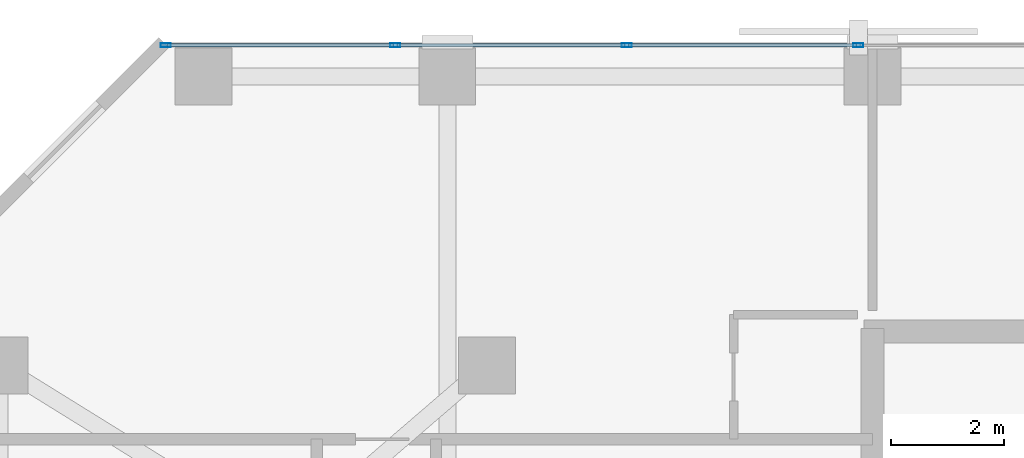
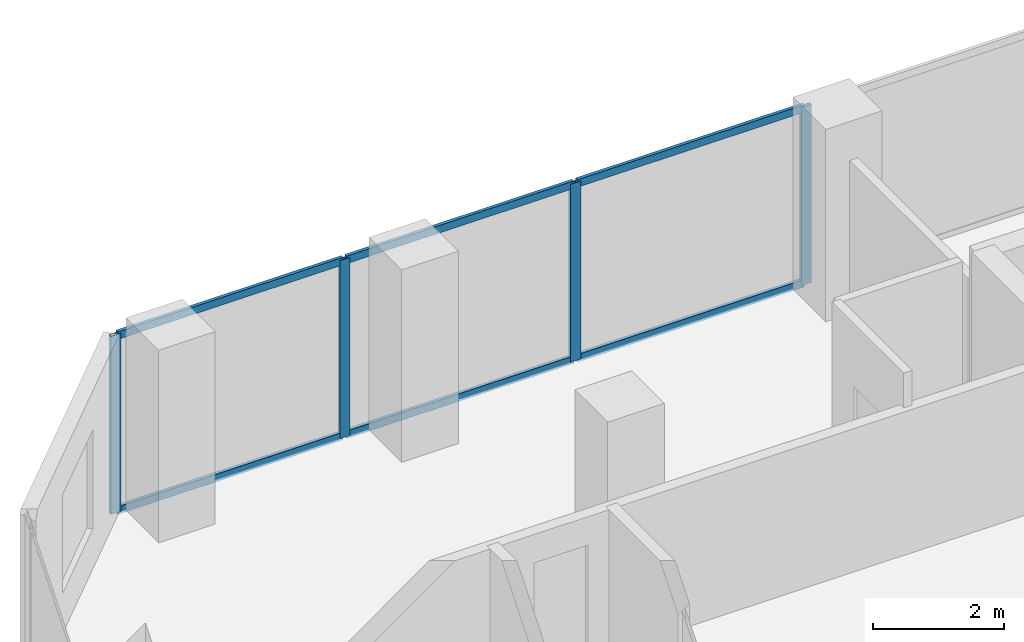
# One storey, part 20 of 31: 10 members, 1 element without a shape of its own.
"""IFC4 building model written with IfcOpenShell, lengths in metres."""

import ifcopenshell
import ifcopenshell.guid

model = None  # the IFC model being written
_history = None  # IfcOwnerHistory: only IFC2X3 demands one
_inside = {}  # id of a spatial element -> (the spatial element, [elements in it])
_under = {}  # id of a project, library or spatial element -> (it, [spatial elements below it])
_declared = {}  # id of a project -> (the project, [libraries it declares])
_typed = {}  # id of a type object -> (the type object, [elements of that type])
_made_of = {}  # id of a material, layer set ... -> (it, [elements and type objects made of it])


def new_model(schema):
    """Start an empty IFC model of exactly this schema.

    Asked for "IFC4X3", IfcOpenShell would pick the latest addendum, in which some entities
    have other attributes; the version numbers below select the first issue.
    IFC2X3 requires an IfcOwnerHistory on every rooted entity: one is made here for all.
    """
    global model, _history
    if schema == "IFC4X3":
        model = ifcopenshell.file(schema_version=(4, 3, 0, 0))
    else:
        model = ifcopenshell.file(schema=schema)
    _inside.clear()
    _under.clear()
    _declared.clear()
    _typed.clear()
    _made_of.clear()
    _history = None
    if model.schema == "IFC2X3":
        org = make("IfcOrganization", Name="unknown")
        user = make(
            "IfcPersonAndOrganization",
            ThePerson=make("IfcPerson", FamilyName="unknown"),
            TheOrganization=org,
        )
        app = make(
            "IfcApplication",
            ApplicationDeveloper=org,
            Version="unknown",
            ApplicationFullName="unknown",
            ApplicationIdentifier="unknown",
        )
        _history = make(
            "IfcOwnerHistory",
            OwningUser=user,
            OwningApplication=app,
            ChangeAction="ADDED",
            CreationDate=0,
        )
    return model


def make(cls, **values):
    """One entity of the class cls with the attributes given. An attribute that is None is left unset."""
    return model.create_entity(
        cls, **{name: value for name, value in values.items() if value is not None}
    )


def rooted(cls, **values):
    """An entity with a GlobalId (a new one), such as an element, a storey or a relation."""
    return make(cls, GlobalId=ifcopenshell.guid.new(), OwnerHistory=_history, **values)


def si_unit(unit_type, name, prefix=None):
    """IfcSIUnit, for example si_unit("LENGTHUNIT", "METRE", prefix="MILLI")."""
    return make("IfcSIUnit", UnitType=unit_type, Prefix=prefix, Name=name)


def assignment(units):
    """IfcUnitAssignment: the units of a project."""
    return None if units is None else make("IfcUnitAssignment", Units=units)


def point(xyz):
    """IfcCartesianPoint."""
    return None if xyz is None else make("IfcCartesianPoint", Coordinates=xyz)


def direction(xyz):
    """IfcDirection."""
    return None if xyz is None else make("IfcDirection", DirectionRatios=xyz)


def frame(location, z_axis=None, x_axis=None):
    """IfcAxis2Placement3D, a coordinate frame: its origin and axes. An axis left out is left unset."""
    return make(
        "IfcAxis2Placement3D",
        Location=point(location),
        Axis=direction(z_axis),
        RefDirection=direction(x_axis),
    )


def frame_2d(location, x_axis=None):
    """IfcAxis2Placement2D, a coordinate frame in the plane: its origin and x axis."""
    return make(
        "IfcAxis2Placement2D", Location=point(location), RefDirection=direction(x_axis)
    )


def origin():
    """The frame at (0, 0, 0) with its axes left unset."""
    return frame((0.0, 0.0, 0.0))


def origin_2d():
    """The frame at (0, 0) in the plane with its x axis left unset."""
    return frame_2d((0.0, 0.0))


def place(relative_to, where):
    """IfcLocalPlacement: puts the frame where relative to a parent placement (None: the world)."""
    return make(
        "IfcLocalPlacement", PlacementRelTo=relative_to, RelativePlacement=where
    )


def context(
    kind, dimensions, precision=None, world=None, true_north=None, identifier=None
):
    """IfcGeometricRepresentationContext, for example the 3D "Model" context."""
    return make(
        "IfcGeometricRepresentationContext",
        ContextIdentifier=identifier,
        ContextType=kind,
        CoordinateSpaceDimension=dimensions,
        Precision=precision,
        WorldCoordinateSystem=world,
        TrueNorth=true_north,
    )


def subcontext(parent, identifier, kind, view, scale=None):
    """IfcGeometricRepresentationSubContext, for example "Body" below "Model"."""
    return make(
        "IfcGeometricRepresentationSubContext",
        ContextIdentifier=identifier,
        ContextType=kind,
        ParentContext=parent,
        TargetScale=scale,
        TargetView=view,
    )


def project(units=None, contexts=None):
    """IfcProject with its units and contexts."""
    return rooted(
        "IfcProject",
        Name="project",
        RepresentationContexts=contexts,
        UnitsInContext=assignment(units),
    )


def spatial(cls, under=None, at=None, **own):
    """A site, building, storey or space (cls), placed at a placement, below another one or the project."""
    s = rooted(cls, ObjectPlacement=at, **own)
    if under is not None:
        _under.setdefault(under.id(), (under, []))[1].append(s)
    return s


def profile(cls, at=None, kind="AREA", **sizes):
    """A parametric profile (cls). Its sizes go by their IFC names, for example OverallWidth=200.0."""
    return make(cls, ProfileType=kind, Position=at, **sizes)


def hollow_rectangle(**sizes):
    """IfcRectangleHollowProfileDef."""
    return profile("IfcRectangleHollowProfileDef", **sizes)


def extrude(swept, where, along, depth):
    """IfcExtrudedAreaSolid: the profile swept, set in the frame where, extruded along a direction by depth."""
    return make(
        "IfcExtrudedAreaSolid",
        SweptArea=swept,
        Position=where,
        ExtrudedDirection=direction(along),
        Depth=depth,
    )


def shape(context_of_items, identifier, shape_type, items):
    """IfcShapeRepresentation: the items that make up one representation, for example the "Body"."""
    return make(
        "IfcShapeRepresentation",
        ContextOfItems=context_of_items,
        RepresentationIdentifier=identifier,
        RepresentationType=shape_type,
        Items=items,
    )


def material(Name=None, Category=None):
    """IfcMaterial."""
    return make("IfcMaterial", Name=Name, Category=Category)


def layer(
    of_material, thickness, ventilated=None, Name=None, Category=None, Priority=None
):
    """IfcMaterialLayer: one layer of a wall or slab, of a material (None: an air gap)."""
    return make(
        "IfcMaterialLayer",
        Material=of_material,
        LayerThickness=thickness,
        IsVentilated=ventilated,
        Name=Name,
        Category=Category,
        Priority=Priority,
    )


def layer_set(layers, Name=None):
    """IfcMaterialLayerSet."""
    return make("IfcMaterialLayerSet", MaterialLayers=layers, LayerSetName=Name)


def material_profile(
    of_material, cross_section, Name=None, Category=None, Priority=None
):
    """IfcMaterialProfile: a cross section and its material."""
    return make(
        "IfcMaterialProfile",
        Name=Name,
        Material=of_material,
        Profile=cross_section,
        Priority=Priority,
        Category=Category,
    )


def profile_set(profiles, Name=None, composite=None):
    """IfcMaterialProfileSet."""
    return make(
        "IfcMaterialProfileSet",
        Name=Name,
        MaterialProfiles=profiles,
        CompositeProfile=composite,
    )


def made_of(thing, what):
    """Note that an element or type object is made of a material, layer set ...; save() writes the relation."""
    if what is not None:
        _made_of.setdefault(what.id(), (what, []))[1].append(thing)
    return thing


def type_object(cls, material=None, **own):
    """A type object (cls), such as IfcWallType, which elements share."""
    return made_of(rooted(cls, **own), material)


def element(
    cls,
    number,
    at=None,
    inside=None,
    cuts=None,
    type_object=None,
    material=None,
    context=None,
    identifier="Body",
    shape_type=None,
    held_by="IfcProductDefinitionShape",
    body=None,
    shapes=None,
    **own,
):
    """One element of the class cls, such as IfcWall. Its Tag is "e" and its number.

    at: its placement. inside: the storey or other place that contains it. cuts: it is an
    opening in that element (IfcRelVoidsElement). A single representation is given by context,
    identifier, shape_type and body (its items); several are given by shapes. held_by: the class
    of the entity that holds the representations. save() writes the other relations.
    """
    e = rooted(cls, Tag="e%d" % number, ObjectPlacement=at, **own)
    if body is not None:
        shapes = [shape(context, identifier, shape_type, body)]
    if shapes is not None:
        e.Representation = make(held_by, Representations=shapes)
    if inside is not None:
        _inside.setdefault(inside.id(), (inside, []))[1].append(e)
    if cuts is not None:
        rooted(
            "IfcRelVoidsElement", RelatingBuildingElement=cuts, RelatedOpeningElement=e
        )
    if type_object is not None:
        _typed.setdefault(type_object.id(), (type_object, []))[1].append(e)
    return made_of(e, material)


def aggregate(whole, parts):
    """IfcRelAggregates: a whole, such as a stair, and the parts it consists of."""
    return rooted("IfcRelAggregates", RelatingObject=whole, RelatedObjects=parts)


def save(model, path):
    """Write the relations noted so far, then the file.

    IfcRelAggregates (storeys below a building ...), IfcRelContainedInSpatialStructure (elements
    in a storey), IfcRelDefinesByType, IfcRelAssociatesMaterial and IfcRelDeclares: one each for
    every whole, place, type object, material and project.
    """
    for whole, parts in _under.values():
        aggregate(whole, parts)
    for where, things in _inside.values():
        rooted(
            "IfcRelContainedInSpatialStructure",
            RelatedElements=things,
            RelatingStructure=where,
        )
    for kind, things in _typed.values():
        rooted("IfcRelDefinesByType", RelatedObjects=things, RelatingType=kind)
    for what, things in _made_of.values():
        rooted("IfcRelAssociatesMaterial", RelatedObjects=things, RelatingMaterial=what)
    for by, libraries in _declared.values():
        rooted("IfcRelDeclares", RelatingContext=by, RelatedDefinitions=libraries)
    model.write(path)


model = new_model("IFC4")

# Units and contexts
model_context = context("Model", 3, precision=1e-05, world=origin(), true_north=direction((0.0, 1.0)))
body_context = subcontext(model_context, "Body", "Model", "MODEL_VIEW")
ifc_project = project(units=[si_unit("LENGTHUNIT", "METRE"), si_unit("AREAUNIT", "SQUARE_METRE"), si_unit("VOLUMEUNIT", "CUBIC_METRE"), si_unit("PLANEANGLEUNIT", "RADIAN"), si_unit("MASSUNIT", "GRAM", prefix="KILO")], contexts=[model_context])

# Site, building, storey
site_placement = place(None, origin())
site = spatial("IfcSite", under=ifc_project, at=site_placement, CompositionType="ELEMENT")
building_placement = place(site_placement, origin())
building = spatial("IfcBuilding", under=site, at=building_placement, Name="Catumbela Crestline Tower", CompositionType="ELEMENT")
storey_placement = place(building_placement, frame((0.0, 0.0, 25.8)))
storey = spatial("IfcBuildingStorey", under=building, at=storey_placement, Name="L05", CompositionType="ELEMENT", Elevation=25.8)

# Curtain wall, members
ifc_material = material(Name="Aluminium alloy AW-6060-T66", Category="aluminium")
ifc_layer = layer(ifc_material, 0.18, Name="Aluminium alloy AW-6060-T66")
ifc_layer_set = layer_set([ifc_layer], Name="Aluminium alloy AW-6060-T66")
curtain_wall_type = type_object("IfcCurtainWallType", Name="CWU-Z1", PredefinedType="USERDEFINED", material=ifc_layer_set)
curtain_wall_placement = place(storey_placement, origin())
curtain_wall = element("IfcCurtainWall", 1, at=curtain_wall_placement, inside=storey, type_object=curtain_wall_type, Name="L05 Unitised Curtain Wall CW-L05-E7S1", ObjectType="UNITISED", PredefinedType="USERDEFINED")
ifc_material_profile_1 = material_profile(ifc_material, hollow_rectangle(XDim=0.065, YDim=0.18, WallThickness=0.004, at=origin_2d()), Name="ALU 180x65x4")
ifc_profile_set_1 = profile_set([ifc_material_profile_1], Name="Aluminium alloy AW-6060-T66")
member_type_1 = type_object("IfcMemberType", Name="MUL-180X65", PredefinedType="MULLION", material=ifc_profile_set_1)
member_1_placement = place(storey_placement, frame((15.75, 47.95, 0.0), z_axis=(0.0, 0.0, 1.0), x_axis=(0.0, -1.0, 0.0)))
member_1 = element("IfcMember", 2, at=member_1_placement, type_object=member_type_1, Name="CWU-Z1 mullion 10", PredefinedType="MULLION", context=body_context, shape_type="SweptSolid", body=[
    extrude(hollow_rectangle(XDim=0.065, YDim=0.18, WallThickness=0.004, at=origin_2d()), origin(), (0.0, 0.0, 1.0), 3.33),
])
member_2_placement = place(storey_placement, frame((11.6667, 47.95, 0.0), z_axis=(0.0, 0.0, 1.0), x_axis=(0.0, -1.0, 0.0)))
member_2 = element("IfcMember", 3, at=member_2_placement, type_object=member_type_1, Name="CWU-Z1 mullion 11", PredefinedType="MULLION", context=body_context, shape_type="SweptSolid", body=[
    extrude(hollow_rectangle(XDim=0.065, YDim=0.18, WallThickness=0.004, at=origin_2d()), origin(), (0.0, 0.0, 1.0), 3.33),
])
member_3_placement = place(storey_placement, frame((7.5833, 47.95, 0.0), z_axis=(0.0, 0.0, 1.0), x_axis=(0.0, -1.0, 0.0)))
member_3 = element("IfcMember", 4, at=member_3_placement, type_object=member_type_1, Name="CWU-Z1 mullion 12", PredefinedType="MULLION", context=body_context, shape_type="SweptSolid", body=[
    extrude(hollow_rectangle(XDim=0.065, YDim=0.18, WallThickness=0.004, at=origin_2d()), origin(), (0.0, 0.0, 1.0), 3.33),
])
member_4_placement = place(storey_placement, frame((3.5325, 47.95, 0.0), z_axis=(0.0, 0.0, 1.0), x_axis=(0.0, -1.0, 0.0)))
member_4 = element("IfcMember", 5, at=member_4_placement, type_object=member_type_1, Name="CWU-Z1 mullion 13", PredefinedType="MULLION", context=body_context, shape_type="SweptSolid", body=[
    extrude(hollow_rectangle(XDim=0.065, YDim=0.18, WallThickness=0.004, at=origin_2d()), origin(), (0.0, 0.0, 1.0), 3.33),
])
ifc_material_profile_2 = material_profile(ifc_material, hollow_rectangle(XDim=0.06, YDim=0.14, WallThickness=0.004, at=origin_2d()), Name="ALU 140x60x4")
ifc_profile_set_2 = profile_set([ifc_material_profile_2], Name="Aluminium alloy AW-6060-T66")
member_type_2 = type_object("IfcMemberType", Name="TRN-140X60", PredefinedType="USERDEFINED", material=ifc_profile_set_2)
member_5_placement = place(storey_placement, frame((15.7175, 47.95, 0.03), z_axis=(-1.0, 0.0, 0.0), x_axis=(0.0, -1.0, 0.0)))
member_5 = element("IfcMember", 6, at=member_5_placement, type_object=member_type_2, Name="CWU-Z1 transom 10.1", ObjectType="TRANSOM", PredefinedType="USERDEFINED", context=body_context, shape_type="SweptSolid", body=[
    extrude(hollow_rectangle(XDim=0.06, YDim=0.14, WallThickness=0.004, at=origin_2d()), origin(), (0.0, 0.0, 1.0), 4.0183),
])
member_6_placement = place(storey_placement, frame((15.7175, 47.95, 3.3), z_axis=(-1.0, 0.0, 0.0), x_axis=(0.0, -1.0, 0.0)))
member_6 = element("IfcMember", 7, at=member_6_placement, type_object=member_type_2, Name="CWU-Z1 transom 10.2", ObjectType="TRANSOM", PredefinedType="USERDEFINED", context=body_context, shape_type="SweptSolid", body=[
    extrude(hollow_rectangle(XDim=0.06, YDim=0.14, WallThickness=0.004, at=origin_2d()), origin(), (0.0, 0.0, 1.0), 4.0183),
])
member_7_placement = place(storey_placement, frame((11.6342, 47.95, 0.03), z_axis=(-1.0, 0.0, 0.0), x_axis=(0.0, -1.0, 0.0)))
member_7 = element("IfcMember", 8, at=member_7_placement, type_object=member_type_2, Name="CWU-Z1 transom 11.1", ObjectType="TRANSOM", PredefinedType="USERDEFINED", context=body_context, shape_type="SweptSolid", body=[
    extrude(hollow_rectangle(XDim=0.06, YDim=0.14, WallThickness=0.004, at=origin_2d()), origin(), (0.0, 0.0, 1.0), 4.0184),
])
member_8_placement = place(storey_placement, frame((11.6342, 47.95, 3.3), z_axis=(-1.0, 0.0, 0.0), x_axis=(0.0, -1.0, 0.0)))
member_8 = element("IfcMember", 9, at=member_8_placement, type_object=member_type_2, Name="CWU-Z1 transom 11.2", ObjectType="TRANSOM", PredefinedType="USERDEFINED", context=body_context, shape_type="SweptSolid", body=[
    extrude(hollow_rectangle(XDim=0.06, YDim=0.14, WallThickness=0.004, at=origin_2d()), origin(), (0.0, 0.0, 1.0), 4.0184),
])
member_9_placement = place(storey_placement, frame((7.5508, 47.95, 0.03), z_axis=(-1.0, 0.0, 0.0), x_axis=(0.0, -1.0, 0.0)))
member_9 = element("IfcMember", 10, at=member_9_placement, type_object=member_type_2, Name="CWU-Z1 transom 12.1", ObjectType="TRANSOM", PredefinedType="USERDEFINED", context=body_context, shape_type="SweptSolid", body=[
    extrude(hollow_rectangle(XDim=0.06, YDim=0.14, WallThickness=0.004, at=origin_2d()), origin(), (0.0, 0.0, 1.0), 3.9858),
])
member_10_placement = place(storey_placement, frame((7.5508, 47.95, 3.3), z_axis=(-1.0, 0.0, 0.0), x_axis=(0.0, -1.0, 0.0)))
member_10 = element("IfcMember", 11, at=member_10_placement, type_object=member_type_2, Name="CWU-Z1 transom 12.2", ObjectType="TRANSOM", PredefinedType="USERDEFINED", context=body_context, shape_type="SweptSolid", body=[
    extrude(hollow_rectangle(XDim=0.06, YDim=0.14, WallThickness=0.004, at=origin_2d()), origin(), (0.0, 0.0, 1.0), 3.9858),
])
aggregate(curtain_wall, [member_1, member_2, member_3, member_4, member_5, member_6, member_7, member_8, member_9, member_10])

save(model, "model.ifc")
